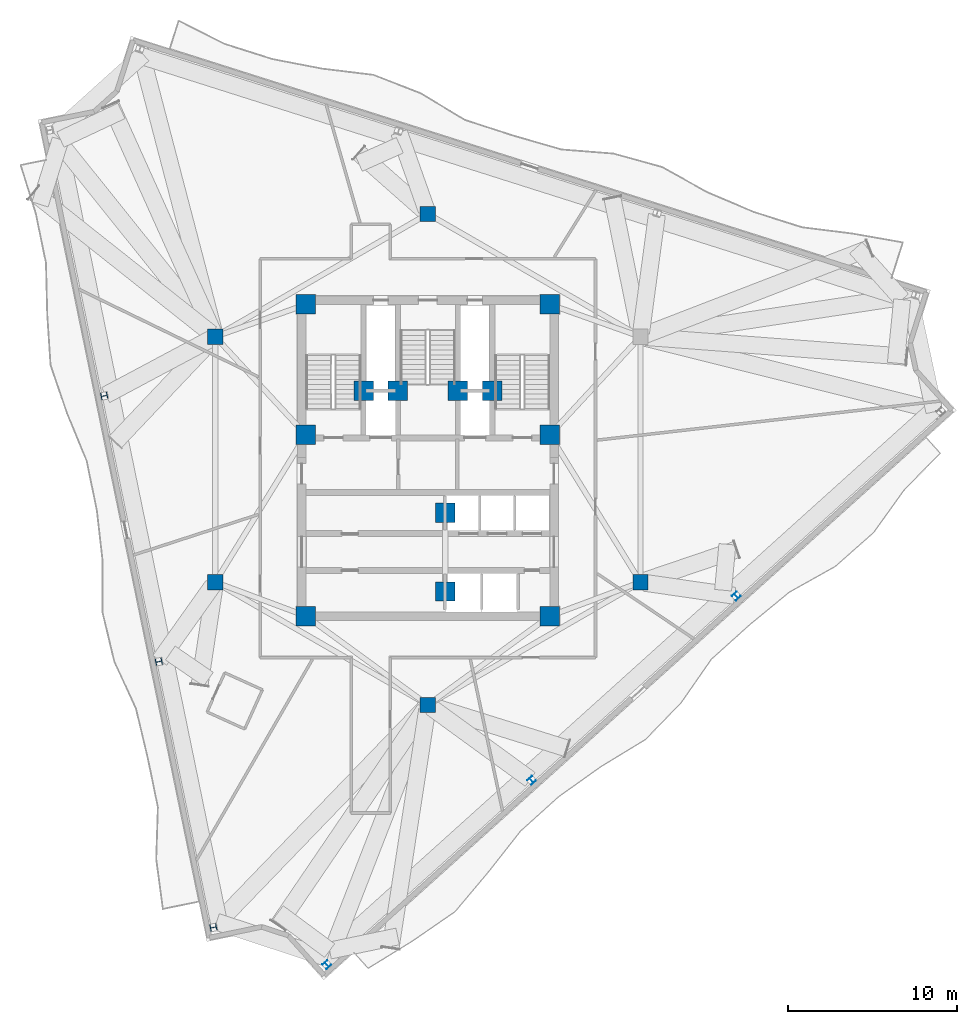
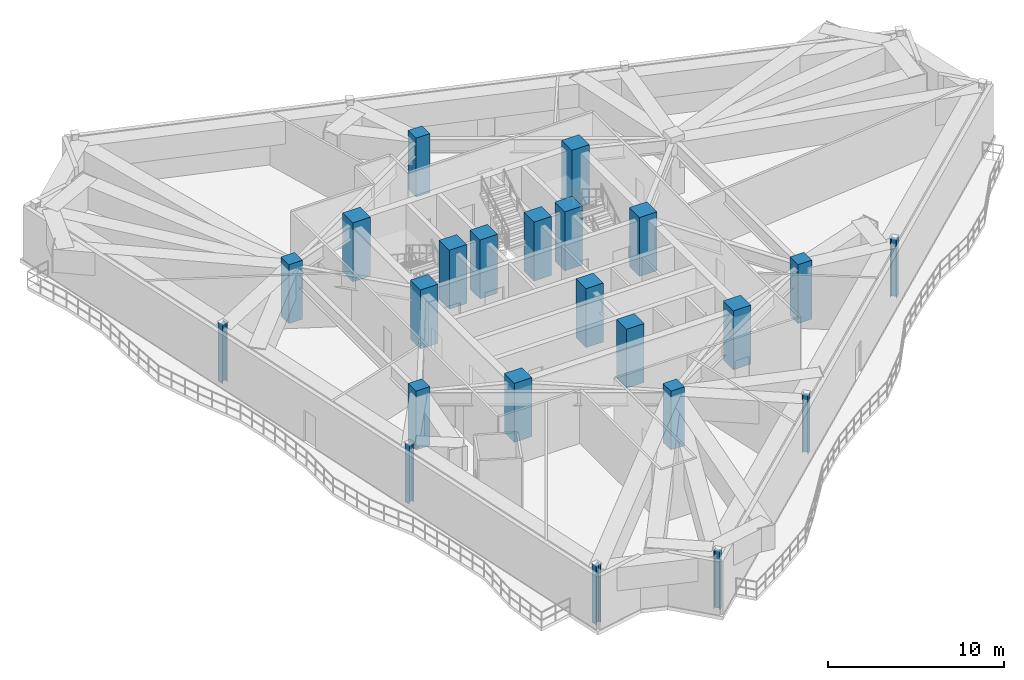
# One storey, part 1 of 12: 23 columns.
"""IFC4 building model written with IfcOpenShell, lengths in metres."""

from ifc_helpers import new_model, si_unit, direction, frame, origin, origin_2d, place, context, subcontext, project, spatial, rectangle, i_section, extrude, material, material_profile, profile_set, type_object, element, save


model = new_model("IFC4")

# Units and contexts
model_context = context("Model", 3, precision=1e-05, world=origin(), true_north=direction((0.0, 1.0)))
body_context = subcontext(model_context, "Body", "Model", "MODEL_VIEW")
ifc_project = project(units=[si_unit("LENGTHUNIT", "METRE"), si_unit("AREAUNIT", "SQUARE_METRE"), si_unit("VOLUMEUNIT", "CUBIC_METRE"), si_unit("PLANEANGLEUNIT", "RADIAN"), si_unit("MASSUNIT", "GRAM", prefix="KILO")], contexts=[model_context])

# Site, building, storey
site_placement = place(None, origin())
site = spatial("IfcSite", under=ifc_project, at=site_placement, CompositionType="ELEMENT")
building_placement = place(site_placement, origin())
building = spatial("IfcBuilding", under=site, at=building_placement, Name="Apsidion Concourse Tower", CompositionType="ELEMENT")
storey_placement = place(building_placement, frame((0.0, 0.0, 256.800048828125)))
storey = spatial("IfcBuildingStorey", under=building, at=storey_placement, Name="L60", CompositionType="ELEMENT", Elevation=256.800048828125)

# Columns
ifc_material_1 = material(Name="Concrete C50/60", Category="concrete")
ifc_material_profile_1 = material_profile(ifc_material_1, rectangle(XDim=1.14990234375, YDim=1.14990234375, at=origin_2d()), Name="RC 1150x1150")
ifc_profile_set_1 = profile_set([ifc_material_profile_1], Name="Concrete C50/60")
column_type_1 = type_object("IfcColumnType", Name="COL-RC-1150", PredefinedType="COLUMN", material=ifc_profile_set_1)
for number, where, z_axis, x_axis, name in (
    (1, (-7.199951171875, -9.25, 0.0), (0.0, 0.0, 1.0), (1.0, 0.0, 0.0), "L60 Core Super-Column SC1"),
    (2, (7.199951171875, -9.25, 0.0), (0.0, 0.0, 1.0), (1.0, 0.0, 0.0), "L60 Core Super-Column SC2"),
    (3, (7.199951171875, 1.449951171875, 0.0), (0.0, 0.0, 1.0), (1.0, 0.0, 0.0), "L60 Core Super-Column SC3"),
    (4, (7.199951171875, 9.14990234375, 0.0), (0.0, 0.0, 1.0), (1.0, 0.0, 0.0), "L60 Core Super-Column SC4"),
    (5, (-7.199951171875, 9.14990234375, 0.0), (0.0, 0.0, 1.0), (1.0, 0.0, 0.0), "L60 Core Super-Column SC5"),
    (6, (-7.199951171875, 1.449951171875, 0.0), (0.0, 0.0, 1.0), (1.0, 0.0, 0.0), "L60 Core Super-Column SC6"),
    (7, (-3.800048828125, 4.050048828125, 0.0), (0.0, 0.0, 1.0), (1.0, 0.0, 0.0), "L60 Core Super-Column CC1"),
    (8, (3.800048828125, 4.050048828125, 0.0), (0.0, 0.0, 1.0), (1.0, 0.0, 0.0), "L60 Core Super-Column CC2"),
    (9, (-1.77490234375, 4.050048828125, 0.0), (0.0, 0.0, 1.0), (1.0, 0.0, 0.0), "L60 Core Super-Column CC3"),
    (10, (1.77490234375, 4.050048828125, 0.0), (0.0, 0.0, 1.0), (1.0, 0.0, 0.0), "L60 Core Super-Column CC4"),
    (11, (1.02490234375, -3.14990234375, 0.0), (0.0, 0.0, 1.0), (1.0, 0.0, 0.0), "L60 Core Super-Column CC5"),
    (12, (1.02490234375, -7.800048828125, 0.0), (0.0, 0.0, 1.0), (1.0, 0.0, 0.0), "L60 Core Super-Column CC6"),
):
    element("IfcColumn", number, at=place(storey_placement, frame(where, z_axis=z_axis, x_axis=x_axis)), inside=storey, type_object=column_type_1, Name=name, PredefinedType="COLUMN", context=body_context, shape_type="SweptSolid", body=[
        extrude(rectangle(XDim=1.14990234375, YDim=1.14990234375, at=origin_2d()), origin(), (0.0, 0.0, 1.0), 4.099853515625),
    ])
ifc_material_profile_2 = material_profile(ifc_material_1, rectangle(XDim=0.89990234375, YDim=0.89990234375, at=origin_2d()), Name="RC 900x900")
ifc_profile_set_2 = profile_set([ifc_material_profile_2], Name="Concrete C50/60")
column_type_2 = type_object("IfcColumnType", Name="COL-RC-900", PredefinedType="COLUMN", material=ifc_profile_set_2)
for number, where, z_axis, x_axis, name in (
    (13, (-12.56005859375, -7.25, 0.0), (0.0, 0.0, 1.0), (1.0, 0.0, 0.0), "L60 Interior Spine Column IC1"),
    (14, (12.56005859375, -7.25, 0.0), (0.0, 0.0, 1.0), (1.0, 0.0, 0.0), "L60 Interior Spine Column IC2"),
    (15, (0.0, 14.5, 0.0), (0.0, 0.0, 1.0), (1.0, 0.0, 0.0), "L60 Interior Spine Column IC4"),
    (16, (-12.56005859375, 7.25, 0.0), (0.0, 0.0, 1.0), (1.0, 0.0, 0.0), "L60 Interior Spine Column IC5"),
    (17, (0.0, -14.5, 0.0), (0.0, 0.0, 1.0), (1.0, 0.0, 0.0), "L60 Interior Spine Column IC6"),
):
    element("IfcColumn", number, at=place(storey_placement, frame(where, z_axis=z_axis, x_axis=x_axis)), inside=storey, type_object=column_type_2, Name=name, PredefinedType="COLUMN", context=body_context, shape_type="SweptSolid", body=[
        extrude(rectangle(XDim=0.89990234375, YDim=0.89990234375, at=origin_2d()), origin(), (0.0, 0.0, 1.0), 4.099853515625),
    ])
ifc_material_2 = material(Name="Structural steel ASTM A992 Grade 50", Category="steel")
ifc_material_profile_3 = material_profile(ifc_material_2, i_section(OverallWidth=0.373046875, OverallDepth=0.373046875, WebThickness=0.016357421875, FlangeThickness=0.026123046875, at=origin_2d()), Name="W14X132")
ifc_profile_set_3 = profile_set([ifc_material_profile_3], Name="Structural steel ASTM A992 Grade 50")
column_type_3 = type_object("IfcColumnType", Name="COL-W14-132", PredefinedType="COLUMN", material=ifc_profile_set_3)
for number, where, z_axis, x_axis, name in (
    (18, (-19.11279296875, 3.75146484375, 0.0), (0.0, 0.0, 1.0), (-0.201248886216, 0.979540139962, 0.0), "L60 Rotated Perimeter Column PC02"),
    (19, (-15.888671875, -11.94384765625, 0.0), (0.0, 0.0, 1.0), (-0.201248886216, 0.979540139962, 0.0), "L60 Rotated Perimeter Column PC03"),
    (20, (-12.664306640625, -27.63916015625, 0.0), (0.0, 0.0, 1.0), (-0.201248886216, 0.979540139962, 0.0), "L60 Rotated Perimeter Column PC04"),
    (21, (-5.967529296875, -29.840087890625, 0.0), (0.0, 0.0, 1.0), (0.743144825477, 0.669130606359, 0.0), "L60 Rotated Perimeter Column PC05"),
    (22, (6.121826171875, -18.954833984375, 0.0), (0.0, 0.0, 1.0), (0.743144825477, 0.669130606359, 0.0), "L60 Rotated Perimeter Column PC06"),
    (23, (18.211181640625, -8.069580078125, 0.0), (0.0, 0.0, 1.0), (0.743144825477, 0.669130606359, 0.0), "L60 Rotated Perimeter Column PC07"),
):
    element("IfcColumn", number, at=place(storey_placement, frame(where, z_axis=z_axis, x_axis=x_axis)), inside=storey, type_object=column_type_3, Name=name, PredefinedType="COLUMN", context=body_context, shape_type="SweptSolid", body=[
        extrude(i_section(OverallWidth=0.373046875, OverallDepth=0.373046875, WebThickness=0.016357421875, FlangeThickness=0.026123046875, at=origin_2d()), origin(), (0.0, 0.0, 1.0), 4.099853515625),
    ])

save(model, "model.ifc")
